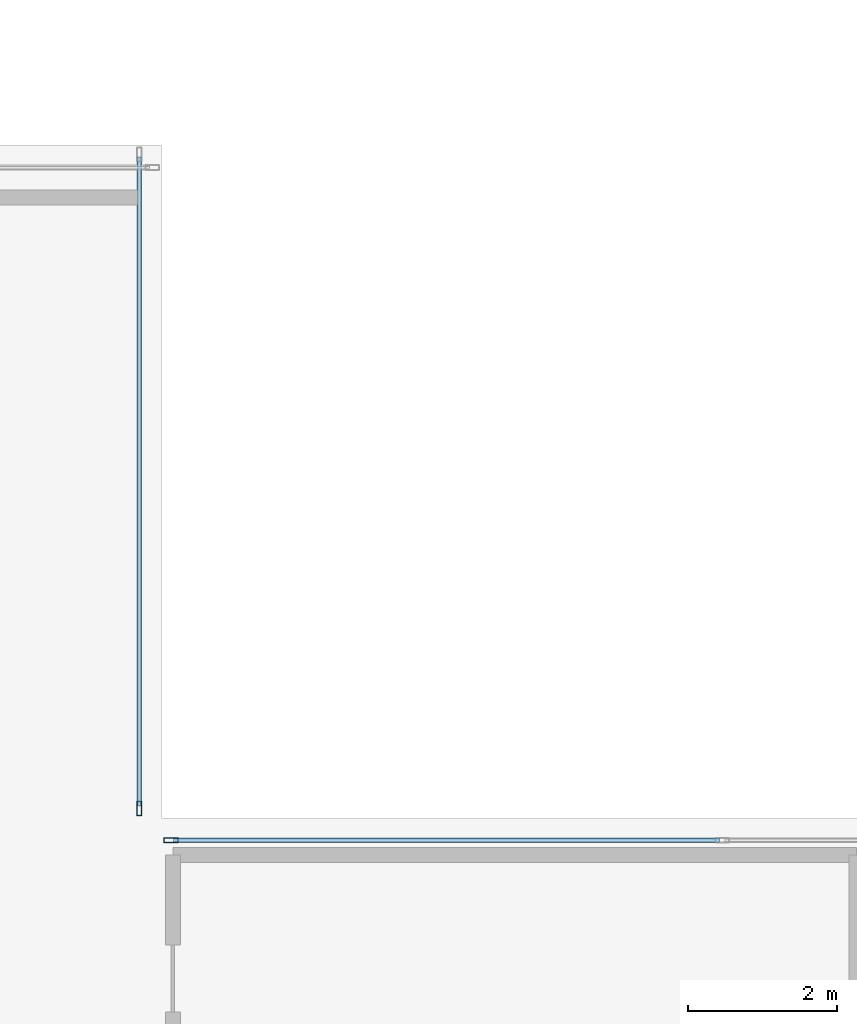
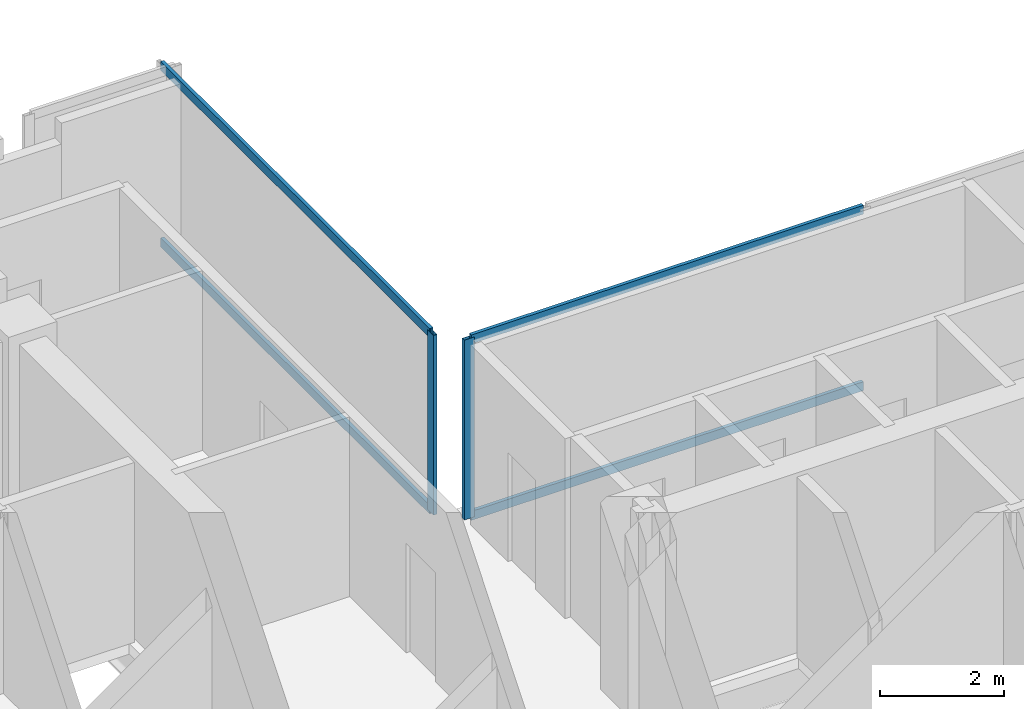
# One storey, part 10 of 26: 6 members, 2 elements without a shape of their own.
"""IFC4 building model written with IfcOpenShell, lengths in metres."""

from ifc_helpers import new_model, si_unit, direction, frame, origin, origin_2d, place, context, subcontext, project, spatial, hollow_rectangle, extrude, material, layer, layer_set, material_profile, profile_set, type_object, element, aggregate, save


model = new_model("IFC4")

# Units and contexts
model_context = context("Model", 3, precision=1e-05, world=origin(), true_north=direction((0.0, 1.0)))
body_context = subcontext(model_context, "Body", "Model", "MODEL_VIEW")
ifc_project = project(units=[si_unit("LENGTHUNIT", "METRE"), si_unit("AREAUNIT", "SQUARE_METRE"), si_unit("VOLUMEUNIT", "CUBIC_METRE"), si_unit("PLANEANGLEUNIT", "RADIAN"), si_unit("MASSUNIT", "GRAM", prefix="KILO"), si_unit("THERMODYNAMICTEMPERATUREUNIT", "KELVIN"), si_unit("POWERUNIT", "WATT")], contexts=[model_context])

# Site, building, storey
site_placement = place(None, origin())
site = spatial("IfcSite", under=ifc_project, at=site_placement, CompositionType="ELEMENT")
building_placement = place(site_placement, origin())
building = spatial("IfcBuilding", under=site, at=building_placement, Name="Svarakhadi Broadcast Tower", CompositionType="ELEMENT")
storey_placement = place(building_placement, frame((0.0, 0.0, 180.449951171875)))
storey = spatial("IfcBuildingStorey", under=building, at=storey_placement, Name="L44", CompositionType="ELEMENT", Elevation=180.449951171875)

# Curtain wall, member
ifc_material = material(Name="Anodised Bronze Aluminium AA 6063-T6", Category="aluminium")
ifc_layer = layer(ifc_material, 0.18994140625)
ifc_layer_set = layer_set([ifc_layer], Name="Anodised Bronze Aluminium AA 6063-T6")
curtain_wall_type = type_object("IfcCurtainWallType", Name="CW_Sys_04", PredefinedType="NOTDEFINED", material=ifc_layer_set)
curtain_wall_1_placement = place(storey_placement, origin())
curtain_wall_1 = element("IfcCurtainWall", 1, at=curtain_wall_1_placement, inside=storey, type_object=curtain_wall_type, Name="L44 Unitised Facade Curtain Wall 09", PredefinedType="NOTDEFINED")
ifc_material_profile_1 = material_profile(ifc_material, hollow_rectangle(XDim=0.070068359375, YDim=0.18994140625, WallThickness=0.005615234375, at=origin_2d()), Name="ALU MULLION 190x70x6")
ifc_profile_set_1 = profile_set([ifc_material_profile_1], Name="Anodised Bronze Aluminium AA 6063-T6")
member_type_1 = type_object("IfcMemberType", Name="CW_Sys_04_Mul", PredefinedType="MULLION", material=ifc_profile_set_1)
member_1_placement = place(storey_placement, frame((23.699951171875, 24.125, 0.0), z_axis=(0.0, 0.0, 1.0), x_axis=(1.0, 0.0, 0.0)))
member_1 = element("IfcMember", 2, at=member_1_placement, type_object=member_type_1, Name="CW-04 mullion 2", PredefinedType="MULLION", context=body_context, shape_type="SweptSolid", body=[
    extrude(hollow_rectangle(XDim=0.070068359375, YDim=0.18994140625, WallThickness=0.005615234375, at=origin_2d()), origin(), (0.0, 0.0, 1.0), 3.5400390625),
])

curtain_wall_2_placement = place(storey_placement, origin())
curtain_wall_2 = element("IfcCurtainWall", 3, at=curtain_wall_2_placement, inside=storey, type_object=curtain_wall_type, Name="L44 Unitised Facade Curtain Wall 10", PredefinedType="NOTDEFINED")
member_2_placement = place(storey_placement, frame((24.125, 23.699951171875, 0.0), z_axis=(0.0, 0.0, 1.0), x_axis=(0.0, 1.0, 0.0)))
member_2 = element("IfcMember", 4, at=member_2_placement, type_object=member_type_1, Name="CW-04 mullion 1", PredefinedType="MULLION", context=body_context, shape_type="SweptSolid", body=[
    extrude(hollow_rectangle(XDim=0.070068359375, YDim=0.18994140625, WallThickness=0.005615234375, at=origin_2d()), origin(), (0.0, 0.0, 1.0), 3.5400390625),
])

# Member
ifc_material_profile_2 = material_profile(ifc_material, hollow_rectangle(XDim=0.06494140625, YDim=0.175048828125, WallThickness=0.0048828125, at=origin_2d()), Name="ALU TRANSOM 175x65x5")
ifc_profile_set_2 = profile_set([ifc_material_profile_2], Name="Anodised Bronze Aluminium AA 6063-T6")
member_type_2 = type_object("IfcMemberType", Name="CW_Sys_04_Trn", PredefinedType="USERDEFINED", material=ifc_profile_set_2)
member_3_placement = place(storey_placement, frame((23.699951171875, 32.840087890625, 0.032470703125), z_axis=(0.0, -1.0, 0.0), x_axis=(1.0, 0.0, 0.0)))
member_3 = element("IfcMember", 5, at=member_3_placement, type_object=member_type_2, Name="CW-04 transom 1.1", ObjectType="TRANSOM", PredefinedType="USERDEFINED", context=body_context, shape_type="SweptSolid", body=[
    extrude(hollow_rectangle(XDim=0.06494140625, YDim=0.175048828125, WallThickness=0.0048828125, at=origin_2d()), origin(), (0.0, 0.0, 1.0), 8.68017578125),
])

member_4_placement = place(storey_placement, frame((23.699951171875, 32.840087890625, 3.507568359375), z_axis=(0.0, -1.0, 0.0), x_axis=(1.0, 0.0, 0.0)))
member_4 = element("IfcMember", 6, at=member_4_placement, type_object=member_type_2, Name="CW-04 transom 1.2", ObjectType="TRANSOM", PredefinedType="USERDEFINED", context=body_context, shape_type="SweptSolid", body=[
    extrude(hollow_rectangle(XDim=0.06494140625, YDim=0.175048828125, WallThickness=0.0048828125, at=origin_2d()), origin(), (0.0, 0.0, 1.0), 8.68017578125),
])

aggregate(curtain_wall_1, [member_1, member_3, member_4])

member_5_placement = place(storey_placement, frame((24.159912109375, 23.699951171875, 0.032470703125), z_axis=(1.0, 0.0, 0.0), x_axis=(0.0, 1.0, 0.0)))
member_5 = element("IfcMember", 7, at=member_5_placement, type_object=member_type_2, Name="CW-04 transom 1.1", ObjectType="TRANSOM", PredefinedType="USERDEFINED", context=body_context, shape_type="SweptSolid", body=[
    extrude(hollow_rectangle(XDim=0.06494140625, YDim=0.175048828125, WallThickness=0.0048828125, at=origin_2d()), origin(), (0.0, 0.0, 1.0), 7.30517578125),
])

member_6_placement = place(storey_placement, frame((24.159912109375, 23.699951171875, 3.507568359375), z_axis=(1.0, 0.0, 0.0), x_axis=(0.0, 1.0, 0.0)))
member_6 = element("IfcMember", 8, at=member_6_placement, type_object=member_type_2, Name="CW-04 transom 1.2", ObjectType="TRANSOM", PredefinedType="USERDEFINED", context=body_context, shape_type="SweptSolid", body=[
    extrude(hollow_rectangle(XDim=0.06494140625, YDim=0.175048828125, WallThickness=0.0048828125, at=origin_2d()), origin(), (0.0, 0.0, 1.0), 7.30517578125),
])

aggregate(curtain_wall_2, [member_2, member_5, member_6])

save(model, "model.ifc")
